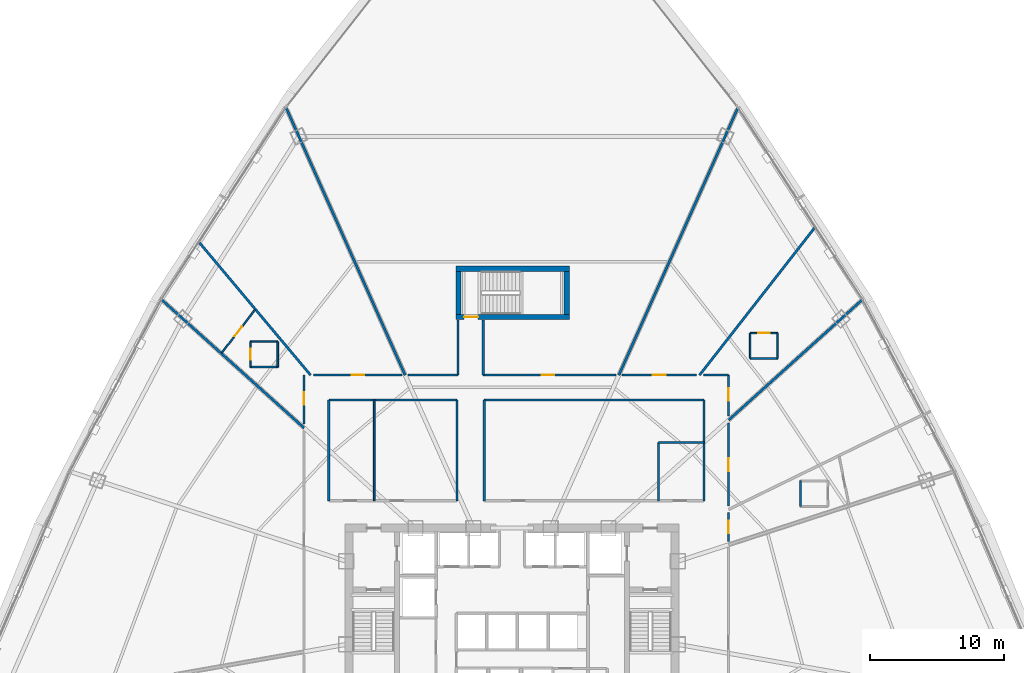
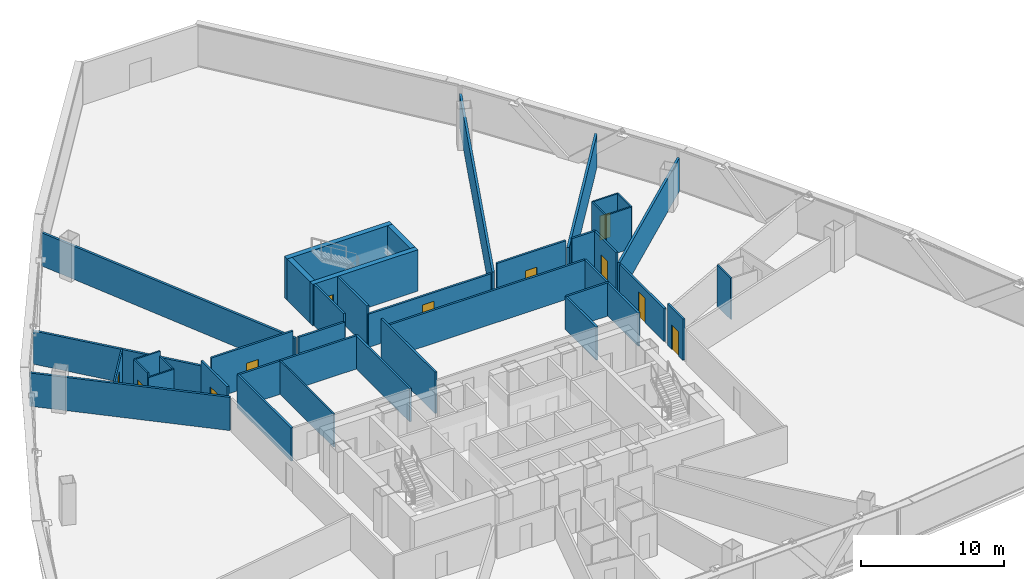
# One storey, part 31 of 37: 40 walls, 11 doors, 11 openings.
"""IFC4 building model written with IfcOpenShell, lengths in metres."""

from ifc_helpers import new_model, si_unit, direction, frame, frame_2d, origin, origin_with_axes, place, context, subcontext, project, spatial, rectangle, extrude, source, transform, mapped, material, layer, layer_set, type_object, element, fill, save


model = new_model("IFC4")

# Units and contexts
model_context = context("Model", 3, precision=1e-05, world=origin(), true_north=direction((0.0, 1.0)))
body_context = subcontext(model_context, "Body", "Model", "MODEL_VIEW")
ifc_project = project(units=[si_unit("LENGTHUNIT", "METRE"), si_unit("AREAUNIT", "SQUARE_METRE"), si_unit("VOLUMEUNIT", "CUBIC_METRE"), si_unit("PLANEANGLEUNIT", "RADIAN"), si_unit("MASSUNIT", "GRAM", prefix="KILO"), si_unit("THERMODYNAMICTEMPERATUREUNIT", "KELVIN"), si_unit("POWERUNIT", "WATT")], contexts=[model_context])

# Site, building, storey
site_placement = place(None, origin())
site = spatial("IfcSite", under=ifc_project, at=site_placement, CompositionType="ELEMENT")
building_placement = place(site_placement, origin())
building = spatial("IfcBuilding", under=site, at=building_placement, Name="Yunzhuo Pagoda Commons", CompositionType="ELEMENT")
storey_placement = place(building_placement, frame((0.0, 0.0, 88.780029296875)))
storey = spatial("IfcBuildingStorey", under=building, at=storey_placement, Name="L22", CompositionType="ELEMENT", Elevation=88.780029296875)

# Walls
ifc_material_1 = material(Name="Gypsum plasterboard on acoustic stud")
ifc_layer_1 = layer(ifc_material_1, 0.159912109375)
ifc_layer_set_1 = layer_set([ifc_layer_1], Name="Gypsum plasterboard on acoustic stud")
wall_type_1 = type_object("IfcWallType", Name="W-COR1 Tower Rated Corridor Wall 160", PredefinedType="PARTITIONING", material=ifc_layer_set_1)
wall_1_placement = place(storey_placement, frame((34.300048828125, 49.800048828125, 0.0), z_axis=(0.0, 0.0, 1.0), x_axis=(1.0, 0.0, 0.0)))
element("IfcWall", 1, at=wall_1_placement, inside=storey, type_object=wall_type_1, Name="L22 interior wall IW-L22-ISLWN", PredefinedType="PARTITIONING", context=body_context, shape_type="SweptSolid", body=[
    extrude(rectangle(XDim=9.579833984375, YDim=0.159912109375, at=frame_2d((4.7900390625, 0.0))), origin(), (0.0, 0.0, 1.0), 2.840087890625),
])
for number, where, z_axis, x_axis, name in (
    (2, (34.300048828125, 42.25, 0.0), (0.0, 0.0, 1.0), (0.0, 1.0, 0.0), "L22 interior wall IW-L22-ISLWW"),
    (3, (43.8798828125, 42.25, 0.0), (0.0, 0.0, 1.0), (0.0, 1.0, 0.0), "L22 interior wall IW-L22-ISLWE"),
):
    element("IfcWall", number, at=place(storey_placement, frame(where, z_axis=z_axis, x_axis=x_axis)), inside=storey, type_object=wall_type_1, Name=name, PredefinedType="PARTITIONING", context=body_context, shape_type="SweptSolid", body=[
        extrude(rectangle(XDim=7.550048828125, YDim=0.159912109375, at=frame_2d((3.77490234375, 0.0))), origin(), (0.0, 0.0, 1.0), 2.840087890625),
    ])
wall_2_placement = place(storey_placement, frame((45.919921875, 49.800048828125, 0.0), z_axis=(0.0, 0.0, 1.0), x_axis=(1.0, 0.0, 0.0)))
element("IfcWall", 4, at=wall_2_placement, inside=storey, type_object=wall_type_1, Name="L22 interior wall IW-L22-ISLEN", PredefinedType="PARTITIONING", context=body_context, shape_type="SweptSolid", body=[
    extrude(rectangle(XDim=16.43017578125, YDim=0.159912109375, at=frame_2d((8.215087890625, 0.0))), origin(), (0.0, 0.0, 1.0), 2.840087890625),
])
wall_3_placement = place(storey_placement, frame((45.919921875, 42.25, 0.0), z_axis=(0.0, 0.0, 1.0), x_axis=(0.0, 1.0, 0.0)))
element("IfcWall", 5, at=wall_3_placement, inside=storey, type_object=wall_type_1, Name="L22 interior wall IW-L22-ISLEW", PredefinedType="PARTITIONING", context=body_context, shape_type="SweptSolid", body=[
    extrude(rectangle(XDim=7.550048828125, YDim=0.159912109375, at=frame_2d((3.77490234375, 0.0))), origin(), (0.0, 0.0, 1.0), 3.5400390625),
])
wall_4_placement = place(storey_placement, frame((62.35009765625, 42.25, 0.0), z_axis=(0.0, 0.0, 1.0), x_axis=(0.0, 1.0, 0.0)))
element("IfcWall", 6, at=wall_4_placement, inside=storey, type_object=wall_type_1, Name="L22 interior wall IW-L22-ISLEE", PredefinedType="PARTITIONING", context=body_context, shape_type="SweptSolid", body=[
    extrude(rectangle(XDim=7.550048828125, YDim=0.159912109375, at=frame_2d((3.77490234375, 0.0))), origin(), (0.0, 0.0, 1.0), 2.840087890625),
])
wall_5_placement = place(storey_placement, frame((58.949951171875, 42.25, 0.0), z_axis=(0.0, 0.0, 1.0), x_axis=(0.0, 1.0, 0.0)))
element("IfcWall", 7, at=wall_5_placement, inside=storey, type_object=wall_type_1, Name="L22 interior wall IW-L22-ISL2W", PredefinedType="PARTITIONING", context=body_context, shape_type="SweptSolid", body=[
    extrude(rectangle(XDim=4.35009765625, YDim=0.159912109375, at=frame_2d((2.175048828125, 0.0))), origin(), (0.0, 0.0, 1.0), 2.840087890625),
])
wall_6_placement = place(storey_placement, frame((58.949951171875, 46.60009765625, 0.0), z_axis=(0.0, 0.0, 1.0), x_axis=(1.0, 0.0, 0.0)))
element("IfcWall", 8, at=wall_6_placement, inside=storey, type_object=wall_type_1, Name="L22 interior wall IW-L22-ISL2N", PredefinedType="PARTITIONING", context=body_context, shape_type="SweptSolid", body=[
    extrude(rectangle(XDim=3.400146484375, YDim=0.159912109375, at=frame_2d((1.7001953125, 0.0))), origin(), (0.0, 0.0, 1.0), 2.840087890625),
])

# Wall, opening, door
wall_7_placement = place(storey_placement, frame((32.449951171875, 47.997314453125, 0.0), z_axis=(0.0, 0.0, 1.0), x_axis=(0.0, 1.0, 0.0)))
wall_7 = element("IfcWall", 9, at=wall_7_placement, inside=storey, type_object=wall_type_1, Name="L22 interior wall IW-L22-CWL03", PredefinedType="PARTITIONING", context=body_context, shape_type="SweptSolid", body=[
    extrude(rectangle(XDim=3.652587890625, YDim=0.159912109375, at=frame_2d((1.826171875, 0.0))), origin(), (0.0, 0.0, 1.0), 3.5400390625),
])
opening_1_placement = place(wall_7_placement, frame((1.433349609375, 0.0, 0.0)))
opening_1 = element("IfcOpeningElement", 10, at=opening_1_placement, cuts=wall_7, Name="Opening D-06", PredefinedType="OPENING", context=body_context, shape_type="SweptSolid", body=[
    extrude(rectangle(XDim=0.949951171875, YDim=2.10009765625, at=frame_2d((0.47509765625, 1.050048828125))), frame((0.0, 0.08984375, 0.0), z_axis=(0.0, -1.0, 0.0), x_axis=(1.0, 0.0, 0.0)), (0.0, 0.0, 1.0), 0.179931640625),
])
ifc_material_2 = material(Name="Galvanized fire-resisting metal leaf")
door_type_1 = type_object("IfcDoorType", Name="D-06 Co-Living Suite Entrance Fire Door 950x2100", OperationType="NOTDEFINED", PredefinedType="DOOR", material=ifc_material_2)
shared_shape_1 = source(origin(), body_context, "Body", "SweptSolid", [
    extrude(rectangle(XDim=0.949951171875, YDim=2.10009765625, at=frame_2d((0.47509765625, 1.050048828125))), frame((0.0, 0.02490234375, 0.0), z_axis=(0.0, -1.0, 0.0), x_axis=(1.0, 0.0, 0.0)), (0.0, 0.0, 1.0), 0.050048828125),
])
door_1_placement = place(opening_1_placement, origin_with_axes())
door_1 = element("IfcDoor", 11, at=door_1_placement, inside=storey, type_object=door_type_1, Name="L22 unit 07 entrance door", OperationType="SINGLE_SWING_LEFT", OverallHeight=2.10009765625, OverallWidth=0.949951171875, PredefinedType="DOOR", context=body_context, shape_type="MappedRepresentation", body=[
    mapped(shared_shape_1, transform((0.0, 0.0, 0.0), scale=1.0)),
])
fill(opening_1, door_1)

wall_8_placement = place(storey_placement, frame((33.158203125, 51.64990234375, 0.0), z_axis=(0.0, 0.0, 1.0), x_axis=(1.0, 0.0, 0.0)))
wall_8 = element("IfcWall", 12, at=wall_8_placement, inside=storey, type_object=wall_type_1, Name="L22 interior wall IW-L22-CWL04", PredefinedType="PARTITIONING", context=body_context, shape_type="SweptSolid", body=[
    extrude(rectangle(XDim=6.609130859375, YDim=0.159912109375, at=frame_2d((3.3046875, 0.0))), origin(), (0.0, 0.0, 1.0), 3.5400390625),
])
opening_2_placement = place(wall_8_placement, frame((2.840087890625, 0.0, 0.0)))
opening_2 = element("IfcOpeningElement", 13, at=opening_2_placement, cuts=wall_8, Name="Opening D-06", PredefinedType="OPENING", context=body_context, shape_type="SweptSolid", body=[
    extrude(rectangle(XDim=0.949951171875, YDim=2.10009765625, at=frame_2d((0.47509765625, 1.050048828125))), frame((0.0, 0.08984375, 0.0), z_axis=(0.0, -1.0, 0.0), x_axis=(1.0, 0.0, 0.0)), (0.0, 0.0, 1.0), 0.179931640625),
])
door_2_placement = place(opening_2_placement, origin_with_axes())
door_2 = element("IfcDoor", 14, at=door_2_placement, inside=storey, type_object=door_type_1, Name="L22 unit 06 entrance door", OperationType="SINGLE_SWING_RIGHT", OverallHeight=2.10009765625, OverallWidth=0.949951171875, PredefinedType="DOOR", context=body_context, shape_type="MappedRepresentation", body=[
    mapped(shared_shape_1, transform((0.0, 0.0, 0.0), scale=1.0)),
])
fill(opening_2, door_2)

# Walls
wall_9_placement = place(storey_placement, frame((40.227783203125, 51.64990234375, 0.0), z_axis=(0.0, 0.0, 1.0), x_axis=(1.0, 0.0, 0.0)))
element("IfcWall", 15, at=wall_9_placement, inside=storey, type_object=wall_type_1, Name="L22 interior wall IW-L22-CWL05", PredefinedType="PARTITIONING", context=body_context, shape_type="SweptSolid", body=[
    extrude(rectangle(XDim=3.72216796875, YDim=0.159912109375, at=frame_2d((1.861083984375, 0.0))), origin(), (0.0, 0.0, 1.0), 2.840087890625),
])
for number, where, z_axis, x_axis, name in (
    (16, (43.949951171875, 51.64990234375, 0.0), (0.0, 0.0, 1.0), (0.0, 1.0, 0.0), "L22 interior wall IW-L22-CWL06"),
    (17, (45.85009765625, 55.780029296875, 0.0), (0.0, 0.0, 1.0), (0.0, -1.0, 0.0), "L22 interior wall IW-L22-CWL07"),
):
    element("IfcWall", number, at=place(storey_placement, frame(where, z_axis=z_axis, x_axis=x_axis)), inside=storey, type_object=wall_type_1, Name=name, PredefinedType="PARTITIONING", context=body_context, shape_type="SweptSolid", body=[
        extrude(rectangle(XDim=4.130126953125, YDim=0.159912109375, at=frame_2d((2.06494140625, 0.0))), origin(), (0.0, 0.0, 1.0), 3.5400390625),
    ])

# Wall, opening, door
wall_10_placement = place(storey_placement, frame((45.85009765625, 51.64990234375, 0.0), z_axis=(0.0, 0.0, 1.0), x_axis=(1.0, 0.0, 0.0)))
wall_10 = element("IfcWall", 18, at=wall_10_placement, inside=storey, type_object=wall_type_1, Name="L22 interior wall IW-L22-CWL08", PredefinedType="PARTITIONING", context=body_context, shape_type="SweptSolid", body=[
    extrude(rectangle(XDim=9.922119140625, YDim=0.159912109375, at=frame_2d((4.9609375, 0.0))), origin(), (0.0, 0.0, 1.0), 2.840087890625),
])
opening_3_placement = place(wall_10_placement, frame((4.365966796875, 0.0, 0.0)))
opening_3 = element("IfcOpeningElement", 19, at=opening_3_placement, cuts=wall_10, Name="Opening D-06", PredefinedType="OPENING", context=body_context, shape_type="SweptSolid", body=[
    extrude(rectangle(XDim=0.949951171875, YDim=2.10009765625, at=frame_2d((0.47509765625, 1.050048828125))), frame((0.0, 0.08984375, 0.0), z_axis=(0.0, -1.0, 0.0), x_axis=(1.0, 0.0, 0.0)), (0.0, 0.0, 1.0), 0.179931640625),
])
door_3_placement = place(opening_3_placement, origin_with_axes())
door_3 = element("IfcDoor", 20, at=door_3_placement, inside=storey, type_object=door_type_1, Name="L22 unit 05 entrance door", OperationType="SINGLE_SWING_LEFT", OverallHeight=2.10009765625, OverallWidth=0.949951171875, PredefinedType="DOOR", context=body_context, shape_type="MappedRepresentation", body=[
    mapped(shared_shape_1, transform((0.0, 0.0, 0.0), scale=1.0)),
])
fill(opening_3, door_3)

wall_11_placement = place(storey_placement, frame((56.232666015625, 51.64990234375, 0.0), z_axis=(0.0, 0.0, 1.0), x_axis=(1.0, 0.0, 0.0)))
wall_11 = element("IfcWall", 21, at=wall_11_placement, inside=storey, type_object=wall_type_1, Name="L22 interior wall IW-L22-CWL09", PredefinedType="PARTITIONING", context=body_context, shape_type="SweptSolid", body=[
    extrude(rectangle(XDim=5.571533203125, YDim=0.159912109375, at=frame_2d((2.78564453125, 0.0))), origin(), (0.0, 0.0, 1.0), 3.5400390625),
])
opening_4_placement = place(wall_11_placement, frame((2.30029296875, 0.0, 0.0)))
opening_4 = element("IfcOpeningElement", 22, at=opening_4_placement, cuts=wall_11, Name="Opening D-06", PredefinedType="OPENING", context=body_context, shape_type="SweptSolid", body=[
    extrude(rectangle(XDim=0.949951171875, YDim=2.10009765625, at=frame_2d((0.47509765625, 1.050048828125))), frame((0.0, 0.08984375, 0.0), z_axis=(0.0, -1.0, 0.0), x_axis=(1.0, 0.0, 0.0)), (0.0, 0.0, 1.0), 0.179931640625),
])
door_4_placement = place(opening_4_placement, origin_with_axes())
door_4 = element("IfcDoor", 23, at=door_4_placement, inside=storey, type_object=door_type_1, Name="L22 unit 04 entrance door", OperationType="SINGLE_SWING_RIGHT", OverallHeight=2.10009765625, OverallWidth=0.949951171875, PredefinedType="DOOR", context=body_context, shape_type="MappedRepresentation", body=[
    mapped(shared_shape_1, transform((0.0, 0.0, 0.0), scale=1.0)),
])
fill(opening_4, door_4)

# Wall
wall_12_placement = place(storey_placement, frame((62.30322265625, 51.64990234375, 0.0), z_axis=(0.0, 0.0, 1.0), x_axis=(1.0, 0.0, 0.0)))
element("IfcWall", 24, at=wall_12_placement, inside=storey, type_object=wall_type_1, Name="L22 interior wall IW-L22-CWL10", PredefinedType="PARTITIONING", context=body_context, shape_type="SweptSolid", body=[
    extrude(rectangle(XDim=1.896728515625, YDim=0.159912109375, at=frame_2d((0.9482421875, 0.0))), origin(), (0.0, 0.0, 1.0), 3.5400390625),
])

# Wall, opening, door
wall_13_placement = place(storey_placement, frame((64.199951171875, 51.64990234375, 0.0), z_axis=(0.0, 0.0, 1.0), x_axis=(0.0, -1.0, 0.0)))
wall_13 = element("IfcWall", 25, at=wall_13_placement, inside=storey, type_object=wall_type_1, Name="L22 interior wall IW-L22-CWL11", PredefinedType="PARTITIONING", context=body_context, shape_type="SweptSolid", body=[
    extrude(rectangle(XDim=3.0673828125, YDim=0.159912109375, at=frame_2d((1.53369140625, 0.0))), origin(), (0.0, 0.0, 1.0), 3.5400390625),
])
opening_5_placement = place(wall_13_placement, frame((0.976806640625, 0.0, 0.0)))
opening_5 = element("IfcOpeningElement", 26, at=opening_5_placement, cuts=wall_13, Name="Opening D-06", PredefinedType="OPENING", context=body_context, shape_type="SweptSolid", body=[
    extrude(rectangle(XDim=0.949951171875, YDim=2.10009765625, at=frame_2d((0.47509765625, 1.050048828125))), frame((0.0, 0.08984375, 0.0), z_axis=(0.0, -1.0, 0.0), x_axis=(1.0, 0.0, 0.0)), (0.0, 0.0, 1.0), 0.179931640625),
])
door_5_placement = place(opening_5_placement, origin_with_axes())
door_5 = element("IfcDoor", 27, at=door_5_placement, inside=storey, type_object=door_type_1, Name="L22 unit 03 entrance door", OperationType="SINGLE_SWING_LEFT", OverallHeight=2.10009765625, OverallWidth=0.949951171875, PredefinedType="DOOR", context=body_context, shape_type="MappedRepresentation", body=[
    mapped(shared_shape_1, transform((0.0, 0.0, 0.0), scale=1.0)),
])
fill(opening_5, door_5)

wall_14_placement = place(storey_placement, frame((64.199951171875, 48.06689453125, 0.0), z_axis=(0.0, 0.0, 1.0), x_axis=(0.0, -1.0, 0.0)))
wall_14 = element("IfcWall", 28, at=wall_14_placement, inside=storey, type_object=wall_type_1, Name="L22 interior wall IW-L22-CWL12", PredefinedType="PARTITIONING", context=body_context, shape_type="SweptSolid", body=[
    extrude(rectangle(XDim=6.220703125, YDim=0.159912109375, at=frame_2d((3.1103515625, 0.0))), origin(), (0.0, 0.0, 1.0), 2.840087890625),
])
opening_6_placement = place(wall_14_placement, frame((2.64794921875, 0.0, 0.0)))
opening_6 = element("IfcOpeningElement", 29, at=opening_6_placement, cuts=wall_14, Name="Opening D-06", PredefinedType="OPENING", context=body_context, shape_type="SweptSolid", body=[
    extrude(rectangle(XDim=0.949951171875, YDim=2.10009765625, at=frame_2d((0.47509765625, 1.050048828125))), frame((0.0, 0.08984375, 0.0), z_axis=(0.0, -1.0, 0.0), x_axis=(1.0, 0.0, 0.0)), (0.0, 0.0, 1.0), 0.179931640625),
])
door_6_placement = place(opening_6_placement, origin_with_axes())
door_6 = element("IfcDoor", 30, at=door_6_placement, inside=storey, type_object=door_type_1, Name="L22 unit 02 entrance door", OperationType="SINGLE_SWING_RIGHT", OverallHeight=2.10009765625, OverallWidth=0.949951171875, PredefinedType="DOOR", context=body_context, shape_type="MappedRepresentation", body=[
    mapped(shared_shape_1, transform((0.0, 0.0, 0.0), scale=1.0)),
])
fill(opening_6, door_6)

wall_15_placement = place(storey_placement, frame((64.199951171875, 41.381591796875, 0.0), z_axis=(0.0, 0.0, 1.0), x_axis=(0.0, -1.0, 0.0)))
wall_15 = element("IfcWall", 31, at=wall_15_placement, inside=storey, type_object=wall_type_1, Name="L22 interior wall IW-L22-CWL13", PredefinedType="PARTITIONING", context=body_context, shape_type="SweptSolid", body=[
    extrude(rectangle(XDim=2.1865234375, YDim=0.159912109375, at=frame_2d((1.09326171875, 0.0))), origin(), (0.0, 0.0, 1.0), 3.5400390625),
])
opening_7_placement = place(wall_15_placement, frame((0.6240234375, 0.0, 0.0)))
opening_7 = element("IfcOpeningElement", 32, at=opening_7_placement, cuts=wall_15, Name="Opening D-06", PredefinedType="OPENING", context=body_context, shape_type="SweptSolid", body=[
    extrude(rectangle(XDim=0.949951171875, YDim=2.10009765625, at=frame_2d((0.47509765625, 1.050048828125))), frame((0.0, 0.08984375, 0.0), z_axis=(0.0, -1.0, 0.0), x_axis=(1.0, 0.0, 0.0)), (0.0, 0.0, 1.0), 0.179931640625),
])
door_7_placement = place(opening_7_placement, origin_with_axes())
door_7 = element("IfcDoor", 33, at=door_7_placement, inside=storey, type_object=door_type_1, Name="L22 unit 01 entrance door", OperationType="SINGLE_SWING_LEFT", OverallHeight=2.10009765625, OverallWidth=0.949951171875, PredefinedType="DOOR", context=body_context, shape_type="MappedRepresentation", body=[
    mapped(shared_shape_1, transform((0.0, 0.0, 0.0), scale=1.0)),
])
fill(opening_7, door_7)

# Walls
ifc_layer_2 = layer(ifc_material_1, 0.1201171875)
ifc_layer_set_2 = layer_set([ifc_layer_2], Name="Gypsum plasterboard on acoustic stud")
wall_type_2 = type_object("IfcWallType", Name="W-PRT1 Suite & Bathroom Partition 120", PredefinedType="PARTITIONING", material=ifc_layer_set_2)
wall_16_placement = place(storey_placement, frame((37.699951171875, 42.25, 0.0), z_axis=(0.0, 0.0, 1.0), x_axis=(0.0, 1.0, 0.0)))
element("IfcWall", 34, at=wall_16_placement, inside=storey, type_object=wall_type_2, Name="L22 interior wall IW-L22-ISLW1", PredefinedType="PARTITIONING", context=body_context, shape_type="SweptSolid", body=[
    extrude(rectangle(XDim=7.550048828125, YDim=0.1201171875, at=frame_2d((3.77490234375, 0.0))), origin(), (0.0, 0.0, 1.0), 2.840087890625),
])
wall_17_placement = place(storey_placement, frame((69.571044921875, 43.73388671875, 0.0), z_axis=(0.0, 0.0, 1.0), x_axis=(0.0, -1.0, 0.0)))
element("IfcWall", 35, at=wall_17_placement, inside=storey, type_object=wall_type_2, Name="L22 interior wall IW-L22-B01W", PredefinedType="PARTITIONING", context=body_context, shape_type="SweptSolid", body=[
    extrude(rectangle(XDim=1.89990234375, YDim=0.1201171875, at=frame_2d((0.949951171875, 0.0))), origin(), (0.0, 0.0, 1.0), 3.5400390625),
])
wall_18_placement = place(storey_placement, frame((65.80908203125, 52.89208984375, 0.0), z_axis=(0.0, 0.0, 1.0), x_axis=(1.0, 0.0, 0.0)))
element("IfcWall", 36, at=wall_18_placement, inside=storey, type_object=wall_type_2, Name="L22 interior wall IW-L22-B03S", PredefinedType="PARTITIONING", context=body_context, shape_type="SweptSolid", body=[
    extrude(rectangle(XDim=2.0498046875, YDim=0.1201171875, at=frame_2d((1.02490234375, 0.0))), origin(), (0.0, 0.0, 1.0), 3.5400390625),
])
wall_19_placement = place(storey_placement, frame((67.85888671875, 52.89208984375, 0.0), z_axis=(0.0, 0.0, 1.0), x_axis=(0.0, 1.0, 0.0)))
element("IfcWall", 37, at=wall_19_placement, inside=storey, type_object=wall_type_2, Name="L22 interior wall IW-L22-B03E", PredefinedType="PARTITIONING", context=body_context, shape_type="SweptSolid", body=[
    extrude(rectangle(XDim=1.89990234375, YDim=0.1201171875, at=frame_2d((0.949951171875, 0.0))), origin(), (0.0, 0.0, 1.0), 3.5400390625),
])

# Wall, opening, door
wall_20_placement = place(storey_placement, frame((67.85888671875, 54.7919921875, 0.0), z_axis=(0.0, 0.0, 1.0), x_axis=(-1.0, 0.0, 0.0)))
wall_20 = element("IfcWall", 38, at=wall_20_placement, inside=storey, type_object=wall_type_2, Name="L22 interior wall IW-L22-B03N", PredefinedType="PARTITIONING", context=body_context, shape_type="SweptSolid", body=[
    extrude(rectangle(XDim=2.0498046875, YDim=0.1201171875, at=frame_2d((1.02490234375, 0.0))), origin(), (0.0, 0.0, 1.0), 3.5400390625),
])
opening_8_placement = place(wall_20_placement, frame((0.60009765625, 0.0, 0.0)))
opening_8 = element("IfcOpeningElement", 39, at=opening_8_placement, cuts=wall_20, Name="Opening D-05", PredefinedType="OPENING", context=body_context, shape_type="SweptSolid", body=[
    extrude(rectangle(XDim=0.85009765625, YDim=2.10009765625, at=frame_2d((0.425048828125, 1.050048828125))), frame((0.0, 0.070068359375, 0.0), z_axis=(0.0, -1.0, 0.0), x_axis=(1.0, 0.0, 0.0)), (0.0, 0.0, 1.0), 0.14013671875),
])
ifc_material_3 = material(Name="Powder-coated aluminium and timber acoustic leaf", Category="wood")
door_type_2 = type_object("IfcDoorType", Name="D-05 En-Suite Bathroom Door 850x2100", OperationType="NOTDEFINED", PredefinedType="DOOR", material=ifc_material_3)
shared_shape_2 = source(origin(), body_context, "Body", "SweptSolid", [
    extrude(rectangle(XDim=0.85009765625, YDim=2.10009765625, at=frame_2d((0.425048828125, 1.050048828125))), frame((0.0, 0.02490234375, 0.0), z_axis=(0.0, -1.0, 0.0), x_axis=(1.0, 0.0, 0.0)), (0.0, 0.0, 1.0), 0.050048828125),
])
door_8_placement = place(opening_8_placement, frame((0.85009765625, 0.0, 0.0), z_axis=(0.0, 0.0, 1.0), x_axis=(-1.0, 0.0, 0.0)))
door_8 = element("IfcDoor", 40, at=door_8_placement, inside=storey, type_object=door_type_2, Name="L22 unit 03 bathroom door", OperationType="SINGLE_SWING_LEFT", OverallHeight=2.10009765625, OverallWidth=0.85009765625, PredefinedType="DOOR", context=body_context, shape_type="MappedRepresentation", body=[
    mapped(shared_shape_2, transform((0.0, 0.0, 0.0), scale=1.0)),
])
fill(opening_8, door_8)

# Walls
wall_21_placement = place(storey_placement, frame((65.80908203125, 54.7919921875, 0.0), z_axis=(0.0, 0.0, 1.0), x_axis=(0.0, -1.0, 0.0)))
element("IfcWall", 41, at=wall_21_placement, inside=storey, type_object=wall_type_2, Name="L22 interior wall IW-L22-B03W", PredefinedType="PARTITIONING", context=body_context, shape_type="SweptSolid", body=[
    extrude(rectangle(XDim=1.89990234375, YDim=0.1201171875, at=frame_2d((0.949951171875, 0.0))), origin(), (0.0, 0.0, 1.0), 3.5400390625),
])
wall_22_placement = place(storey_placement, frame((28.43408203125, 52.2548828125, 0.0), z_axis=(0.0, 0.0, 1.0), x_axis=(1.0, 0.0, 0.0)))
element("IfcWall", 42, at=wall_22_placement, inside=storey, type_object=wall_type_2, Name="L22 interior wall IW-L22-B07S", PredefinedType="PARTITIONING", context=body_context, shape_type="SweptSolid", body=[
    extrude(rectangle(XDim=2.0498046875, YDim=0.1201171875, at=frame_2d((1.02490234375, 0.0))), origin(), (0.0, 0.0, 1.0), 3.139892578125),
])
wall_23_placement = place(storey_placement, frame((30.48388671875, 52.2548828125, 0.0), z_axis=(0.0, 0.0, 1.0), x_axis=(0.0, 1.0, 0.0)))
element("IfcWall", 43, at=wall_23_placement, inside=storey, type_object=wall_type_2, Name="L22 interior wall IW-L22-B07E", PredefinedType="PARTITIONING", context=body_context, shape_type="SweptSolid", body=[
    extrude(rectangle(XDim=1.900146484375, YDim=0.1201171875, at=frame_2d((0.9501953125, 0.0))), origin(), (0.0, 0.0, 1.0), 3.139892578125),
])
wall_24_placement = place(storey_placement, frame((30.48388671875, 54.155029296875, 0.0), z_axis=(0.0, 0.0, 1.0), x_axis=(-1.0, 0.0, 0.0)))
element("IfcWall", 44, at=wall_24_placement, inside=storey, type_object=wall_type_2, Name="L22 interior wall IW-L22-B07N", PredefinedType="PARTITIONING", context=body_context, shape_type="SweptSolid", body=[
    extrude(rectangle(XDim=2.0498046875, YDim=0.1201171875, at=frame_2d((1.02490234375, 0.0))), origin(), (0.0, 0.0, 1.0), 3.5400390625),
])

# Wall, opening, door
wall_25_placement = place(storey_placement, frame((28.43408203125, 54.155029296875, 0.0), z_axis=(0.0, 0.0, 1.0), x_axis=(0.0, -1.0, 0.0)))
wall_25 = element("IfcWall", 45, at=wall_25_placement, inside=storey, type_object=wall_type_2, Name="L22 interior wall IW-L22-B07W", PredefinedType="PARTITIONING", context=body_context, shape_type="SweptSolid", body=[
    extrude(rectangle(XDim=1.900146484375, YDim=0.1201171875, at=frame_2d((0.9501953125, 0.0))), origin(), (0.0, 0.0, 1.0), 3.5400390625),
])
opening_9_placement = place(wall_25_placement, frame((0.52490234375, 0.0, 0.0)))
opening_9 = element("IfcOpeningElement", 46, at=opening_9_placement, cuts=wall_25, Name="Opening D-05", PredefinedType="OPENING", context=body_context, shape_type="SweptSolid", body=[
    extrude(rectangle(XDim=0.85009765625, YDim=2.10009765625, at=frame_2d((0.425048828125, 1.050048828125))), frame((0.0, 0.070068359375, 0.0), z_axis=(0.0, -1.0, 0.0), x_axis=(1.0, 0.0, 0.0)), (0.0, 0.0, 1.0), 0.14013671875),
])
door_9_placement = place(opening_9_placement, frame((0.85009765625, 0.0, 0.0), z_axis=(0.0, 0.0, 1.0), x_axis=(-1.0, 0.0, 0.0)))
door_9 = element("IfcDoor", 47, at=door_9_placement, inside=storey, type_object=door_type_2, Name="L22 unit 07 bathroom door", OperationType="SINGLE_SWING_LEFT", OverallHeight=2.10009765625, OverallWidth=0.85009765625, PredefinedType="DOOR", context=body_context, shape_type="MappedRepresentation", body=[
    mapped(shared_shape_2, transform((0.0, 0.0, 0.0), scale=1.0)),
])
fill(opening_9, door_9)

wall_26_placement = place(storey_placement, frame((28.772216796875, 56.521484375, 0.0), z_axis=(0.0, 0.0, 1.0), x_axis=(-0.611610665825, -0.791158892669, 0.0)))
wall_26 = element("IfcWall", 48, at=wall_26_placement, inside=storey, type_object=wall_type_2, Name="L22 interior wall IW-L22-CLB07", PredefinedType="PARTITIONING", context=body_context, shape_type="SweptSolid", body=[
    extrude(rectangle(XDim=4.045166015625, YDim=0.1201171875, at=frame_2d((2.0224609375, 0.0))), origin(), (0.0, 0.0, 1.0), 2.840087890625),
])
opening_10_placement = place(wall_26_placement, frame((1.5625, 0.0, 0.0)))
opening_10 = element("IfcOpeningElement", 49, at=opening_10_placement, cuts=wall_26, Name="Opening D-04", PredefinedType="OPENING", context=body_context, shape_type="SweptSolid", body=[
    extrude(rectangle(XDim=0.919921875, YDim=2.10009765625, at=frame_2d((0.4599609375, 1.050048828125))), frame((0.0, 0.070068359375, 0.0), z_axis=(0.0, -1.0, 0.0), x_axis=(1.0, 0.0, 0.0)), (0.0, 0.0, 1.0), 0.14013671875),
])
door_type_3 = type_object("IfcDoorType", Name="D-04 Bedroom & Study Interior Door 920x2100", OperationType="NOTDEFINED", PredefinedType="DOOR", material=ifc_material_3)
shared_shape_3 = source(origin(), body_context, "Body", "SweptSolid", [
    extrude(rectangle(XDim=0.919921875, YDim=2.10009765625, at=frame_2d((0.4599609375, 1.050048828125))), frame((0.0, 0.02490234375, 0.0), z_axis=(0.0, -1.0, 0.0), x_axis=(1.0, 0.0, 0.0)), (0.0, 0.0, 1.0), 0.050048828125),
])
door_10_placement = place(opening_10_placement, origin_with_axes())
door_10 = element("IfcDoor", 50, at=door_10_placement, inside=storey, type_object=door_type_3, Name="L22 suite 07 bedroom door", OperationType="SINGLE_SWING_LEFT", OverallHeight=2.10009765625, OverallWidth=0.919921875, PredefinedType="DOOR", context=body_context, shape_type="MappedRepresentation", body=[
    mapped(shared_shape_3, transform((0.0, 0.0, 0.0), scale=1.0)),
])
fill(opening_10, door_10)

# Walls
ifc_layer_3 = layer(ifc_material_1, 0.179931640625)
ifc_layer_set_3 = layer_set([ifc_layer_3], Name="Gypsum plasterboard on acoustic stud")
wall_type_3 = type_object("IfcWallType", Name="W-PRT2 Acoustic Unit Demising Wall 180", PredefinedType="PARTITIONING", material=ifc_layer_set_3)
wall_27_placement = place(storey_placement, frame((64.199951171875, 48.28662109375, 0.0), z_axis=(0.0, 0.0, 1.0), x_axis=(0.743149168899, 0.669125782469, 0.0)))
element("IfcWall", 51, at=wall_27_placement, inside=storey, type_object=wall_type_3, Name="L22 interior wall IW-L22-RAD03", PredefinedType="PARTITIONING", context=body_context, shape_type="SweptSolid", body=[
    extrude(rectangle(XDim=13.48291015625, YDim=0.179931640625, at=frame_2d((6.741455078125, 0.0))), origin(), (0.0, 0.0, 1.0), 2.840087890625),
])
wall_28_placement = place(storey_placement, frame((62.024169921875, 51.64990234375, 0.0), z_axis=(0.0, 0.0, 1.0), x_axis=(0.615647406864, 0.788021744891, 0.0)))
element("IfcWall", 52, at=wall_28_placement, inside=storey, type_object=wall_type_3, Name="L22 interior wall IW-L22-RAD04", PredefinedType="PARTITIONING", context=body_context, shape_type="SweptSolid", body=[
    extrude(rectangle(XDim=14.079833984375, YDim=0.179931640625, at=frame_2d((7.0400390625, 0.0))), origin(), (0.0, 0.0, 1.0), 2.840087890625),
])
for number, where, z_axis, x_axis, name in (
    (53, (55.991943359375, 51.64990234375, 0.0), (0.0, 0.0, 1.0), (0.406733854264, 0.913546699296, 0.0), "L22 interior wall IW-L22-RAD05"),
    (54, (40.008056640625, 51.64990234375, 0.0), (0.0, 0.0, 1.0), (-0.406733854264, 0.913546699296, 0.0), "L22 interior wall IW-L22-RAD06"),
):
    element("IfcWall", number, at=place(storey_placement, frame(where, z_axis=z_axis, x_axis=x_axis)), inside=storey, type_object=wall_type_3, Name=name, PredefinedType="PARTITIONING", context=body_context, shape_type="SweptSolid", body=[
        extrude(rectangle(XDim=21.911376953125, YDim=0.179931640625, at=frame_2d((10.95556640625, 0.0))), origin(), (0.0, 0.0, 1.0), 2.840087890625),
    ])
wall_29_placement = place(storey_placement, frame((32.938232421875, 51.64990234375, 0.0), z_axis=(0.0, 0.0, 1.0), x_axis=(-0.642792408097, 0.766040416749, 0.0)))
element("IfcWall", 55, at=wall_29_placement, inside=storey, type_object=wall_type_3, Name="L22 interior wall IW-L22-RAD07", PredefinedType="PARTITIONING", context=body_context, shape_type="SweptSolid", body=[
    extrude(rectangle(XDim=13.010498046875, YDim=0.179931640625, at=frame_2d((6.50537109375, 0.0))), origin(), (0.0, 0.0, 1.0), 2.840087890625),
])
wall_30_placement = place(storey_placement, frame((32.449951171875, 47.701416015625, 0.0), z_axis=(0.0, 0.0, 1.0), x_axis=(-0.743147852162, 0.66912724487, 0.0)))
element("IfcWall", 56, at=wall_30_placement, inside=storey, type_object=wall_type_3, Name="L22 interior wall IW-L22-RAD08", PredefinedType="PARTITIONING", context=body_context, shape_type="SweptSolid", body=[
    extrude(rectangle(XDim=14.357421875, YDim=0.179931640625, at=frame_2d((7.1787109375, 0.0))), origin(), (0.0, 0.0, 1.0), 2.840087890625),
])
ifc_material_4 = material(Name="Concrete C60", Category="concrete")
ifc_layer_4 = layer(ifc_material_4, 0.39990234375)
ifc_layer_set_4 = layer_set([ifc_layer_4], Name="Concrete C60")
wall_type_4 = type_object("IfcWallType", Name="W-S01 Internal Core Shear Web 400", PredefinedType="SHEAR", material=ifc_layer_set_4)
wall_31_placement = place(storey_placement, frame((43.800048828125, 59.60009765625, 0.0), z_axis=(0.0, 0.0, 1.0), x_axis=(1.0, 0.0, 0.0)))
element("IfcWall", 57, at=wall_31_placement, inside=storey, type_object=wall_type_4, Name="L22 ST3 structural stair wall N", PredefinedType="SHEAR", context=body_context, shape_type="SweptSolid", body=[
    extrude(rectangle(XDim=8.5, YDim=0.39990234375, at=frame_2d((4.25, 0.0))), origin(), (0.0, 0.0, 1.0), 3.5400390625),
])

# Wall, opening, door
wall_32_placement = place(storey_placement, frame((43.800048828125, 56.0, 0.0), z_axis=(0.0, 0.0, 1.0), x_axis=(1.0, 0.0, 0.0)))
wall_32 = element("IfcWall", 58, at=wall_32_placement, inside=storey, type_object=wall_type_4, Name="L22 ST3 structural stair wall S", PredefinedType="SHEAR", context=body_context, shape_type="SweptSolid", body=[
    extrude(rectangle(XDim=8.5, YDim=0.39990234375, at=frame_2d((4.25, 0.0))), origin(), (0.0, 0.0, 1.0), 3.5400390625),
])
opening_11_placement = place(wall_32_placement, frame((0.6201171875, 0.0, 0.0)))
opening_11 = element("IfcOpeningElement", 59, at=opening_11_placement, cuts=wall_32, Name="Opening D-01", PredefinedType="OPENING", context=body_context, shape_type="SweptSolid", body=[
    extrude(rectangle(XDim=1.050048828125, YDim=2.10009765625, at=frame_2d((0.52490234375, 1.050048828125))), frame((0.0, 0.2099609375, 0.0), z_axis=(0.0, -1.0, 0.0), x_axis=(1.0, 0.0, 0.0)), (0.0, 0.0, 1.0), 0.419921875),
])
door_type_4 = type_object("IfcDoorType", Name="D-01 Smokeproof Stair Fire Door 1050x2100", OperationType="NOTDEFINED", PredefinedType="DOOR", material=ifc_material_2)
shared_shape_4 = source(origin(), body_context, "Body", "SweptSolid", [
    extrude(rectangle(XDim=1.050048828125, YDim=2.10009765625, at=frame_2d((0.52490234375, 1.050048828125))), frame((0.0, 0.02490234375, 0.0), z_axis=(0.0, -1.0, 0.0), x_axis=(1.0, 0.0, 0.0)), (0.0, 0.0, 1.0), 0.050048828125),
])
door_11_placement = place(opening_11_placement, frame((1.050048828125, 0.0, 0.0), z_axis=(0.0, 0.0, 1.0), x_axis=(-1.0, 0.0, 0.0)))
door_11 = element("IfcDoor", 60, at=door_11_placement, inside=storey, type_object=door_type_4, Name="L22 Stair ST3 fire door", OperationType="SINGLE_SWING_LEFT", OverallHeight=2.10009765625, OverallWidth=1.050048828125, PredefinedType="DOOR", context=body_context, shape_type="MappedRepresentation", body=[
    mapped(shared_shape_4, transform((0.0, 0.0, 0.0), scale=1.0)),
])
fill(opening_11, door_11)

# Walls
for number, where, z_axis, x_axis, name in (
    (61, (44.0, 56.199951171875, 0.0), (0.0, 0.0, 1.0), (0.0, 1.0, 0.0), "L22 ST3 structural stair wall W"),
    (62, (52.10009765625, 56.199951171875, 0.0), (0.0, 0.0, 1.0), (0.0, 1.0, 0.0), "L22 ST3 structural stair wall E"),
):
    element("IfcWall", number, at=place(storey_placement, frame(where, z_axis=z_axis, x_axis=x_axis)), inside=storey, type_object=wall_type_4, Name=name, PredefinedType="SHEAR", context=body_context, shape_type="SweptSolid", body=[
        extrude(rectangle(XDim=3.199951171875, YDim=0.39990234375, at=frame_2d((1.60009765625, 0.0))), origin(), (0.0, 0.0, 1.0), 3.5400390625),
    ])

save(model, "model.ifc")
